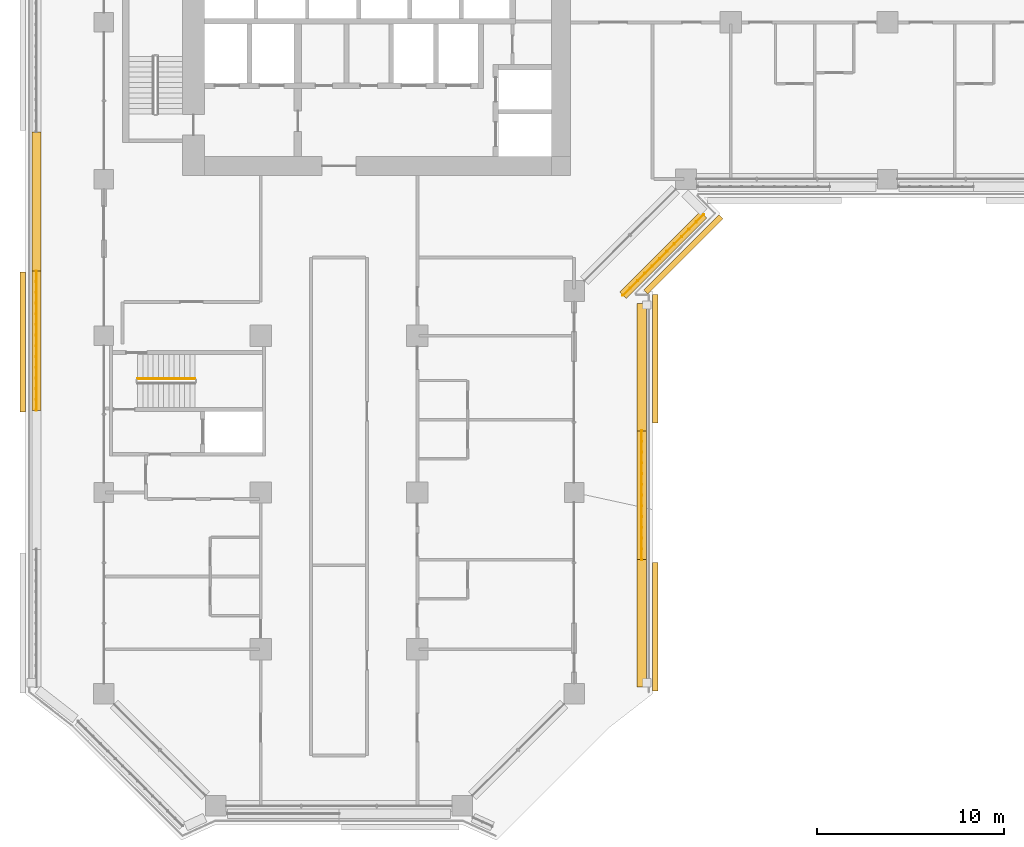
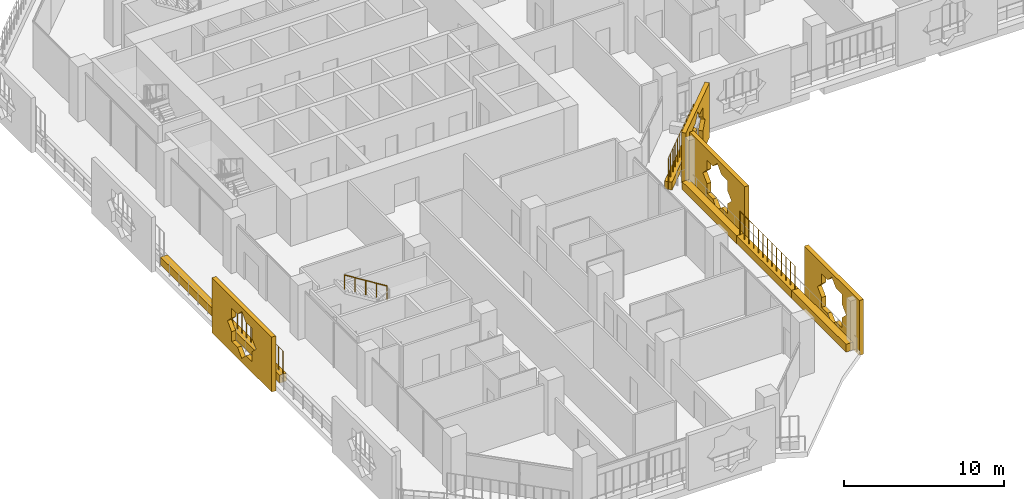
# One storey, part 20 of 25: 10 coverings, 4 railings.
"""IFC4 building model written with IfcOpenShell, lengths in metres."""

from ifc_helpers import new_model, si_unit, direction, frame, origin, origin_2d, place, context, subcontext, project, spatial, polyline, rectangle, circle, outline, extrude, material, material_profile, profile_set, type_object, element, save


model = new_model("IFC4")

# Units and contexts
model_context = context("Model", 3, precision=1e-05, world=origin(), true_north=direction((0.0, 1.0)))
body_context = subcontext(model_context, "Body", "Model", "MODEL_VIEW")
ifc_project = project(units=[si_unit("LENGTHUNIT", "METRE"), si_unit("AREAUNIT", "SQUARE_METRE"), si_unit("VOLUMEUNIT", "CUBIC_METRE"), si_unit("PLANEANGLEUNIT", "RADIAN"), si_unit("MASSUNIT", "GRAM", prefix="KILO")], contexts=[model_context])

# Site, building, storey
site_placement = place(None, origin())
site = spatial("IfcSite", under=ifc_project, at=site_placement, CompositionType="ELEMENT")
building_placement = place(site_placement, origin())
building = spatial("IfcBuilding", under=site, at=building_placement, Name="Kawkab Arch Medical Tower", CompositionType="ELEMENT")
storey_placement = place(building_placement, frame((0.0, 0.0, 132.39990234375)))
storey = spatial("IfcBuildingStorey", under=building, at=storey_placement, Name="L30", CompositionType="ELEMENT", Elevation=132.39990234375)

# Coverings
ifc_material_1 = material(Name="Bronze anodised aluminium mashrabiya panel, eight-point star pattern", Category="aluminium")
ifc_material_profile_1 = material_profile(ifc_material_1, outline(polyline([(-2.85009765625, -2.10009765625), (2.85009765625, -2.10009765625), (2.85009765625, 2.10009765625), (-2.85009765625, 2.10009765625), (-2.85009765625, -2.10009765625)]), holes=[polyline([(1.800048828125, 0.0), (1.272705078125, 0.527099609375), (1.272705078125, 1.272705078125), (0.527099609375, 1.272705078125), (0.0, 1.800048828125), (-0.527099609375, 1.272705078125), (-1.272705078125, 1.272705078125), (-1.272705078125, 0.527099609375), (-1.800048828125, 0.0), (-1.272705078125, -0.527099609375), (-1.272705078125, -1.272705078125), (-0.527099609375, -1.272705078125), (0.0, -1.800048828125), (0.527099609375, -1.272705078125), (1.272705078125, -1.272705078125), (1.272705078125, -0.527099609375), (1.800048828125, 0.0)])]), Name="Mashrabiya panel 5700x4200")
ifc_profile_set_1 = profile_set([ifc_material_profile_1], Name="Bronze anodised aluminium mashrabiya panel, eight-point star pattern")
covering_type_1 = type_object("IfcCoveringType", Name="Mashrabiya panel 5700 x 4200", PredefinedType="USERDEFINED", material=ifc_profile_set_1)
covering_1_placement = place(storey_placement, frame((30.94775390625, -29.128662109375, 1.7001953125), z_axis=(0.707106781187, -0.707106781187, 0.0), x_axis=(0.707106781187, 0.707106781187, 0.0)))
element("IfcCovering", 1, at=covering_1_placement, inside=storey, type_object=covering_type_1, Name="Mashrabiya panel L30.LOG-01-01.14", ObjectType="SCREEN", PredefinedType="USERDEFINED", context=body_context, shape_type="SweptSolid", body=[
    extrude(outline(polyline([(-2.85009765625, -2.10009765625), (2.85009765625, -2.10009765625), (2.85009765625, 2.10009765625), (-2.85009765625, 2.10009765625), (-2.85009765625, -2.10009765625)]), holes=[polyline([(1.800048828125, 0.0), (1.272705078125, 0.527099609375), (1.272705078125, 1.272705078125), (0.527099609375, 1.272705078125), (0.0, 1.800048828125), (-0.527099609375, 1.272705078125), (-1.272705078125, 1.272705078125), (-1.272705078125, 0.527099609375), (-1.800048828125, 0.0), (-1.272705078125, -0.527099609375), (-1.272705078125, -1.272705078125), (-0.527099609375, -1.272705078125), (0.0, -1.800048828125), (0.527099609375, -1.272705078125), (1.272705078125, -1.272705078125), (1.272705078125, -0.527099609375), (1.800048828125, 0.0)])]), origin(), (0.0, 0.0, 1.0), 0.300048828125),
])
ifc_material_2 = material(Name="Bronze anodised aluminium mashrabiya panel, eight-point star pattern", Category="aluminium")
ifc_material_profile_2 = material_profile(ifc_material_2, outline(polyline([(-3.449951171875, -2.10009765625), (3.449951171875, -2.10009765625), (3.449951171875, 2.10009765625), (-3.449951171875, 2.10009765625), (-3.449951171875, -2.10009765625)]), holes=[polyline([(1.800048828125, 0.0), (1.272705078125, 0.527099609375), (1.272705078125, 1.272705078125), (0.527099609375, 1.272705078125), (0.0, 1.800048828125), (-0.527099609375, 1.272705078125), (-1.272705078125, 1.272705078125), (-1.272705078125, 0.527099609375), (-1.800048828125, 0.0), (-1.272705078125, -0.527099609375), (-1.272705078125, -1.272705078125), (-0.527099609375, -1.272705078125), (0.0, -1.800048828125), (0.527099609375, -1.272705078125), (1.272705078125, -1.272705078125), (1.272705078125, -0.527099609375), (1.800048828125, 0.0)])]), Name="Mashrabiya panel 6900x4200")
ifc_profile_set_2 = profile_set([ifc_material_profile_2], Name="Bronze anodised aluminium mashrabiya panel, eight-point star pattern")
covering_type_2 = type_object("IfcCoveringType", Name="Mashrabiya panel 6900 x 4200", PredefinedType="USERDEFINED", material=ifc_profile_set_2)
for number, where, z_axis, x_axis, name in (
    (2, (29.39990234375, -34.827392578125, 1.7001953125), (1.0, 0.0, 0.0), (0.0, 1.0, 0.0), "Mashrabiya panel L30.LOG-01-01.15"),
    (3, (29.39990234375, -49.197509765625, 1.7001953125), (1.0, 0.0, 0.0), (0.0, 1.0, 0.0), "Mashrabiya panel L30.LOG-01-01.16"),
):
    element("IfcCovering", number, at=place(storey_placement, frame(where, z_axis=z_axis, x_axis=x_axis)), inside=storey, type_object=covering_type_2, Name=name, ObjectType="SCREEN", PredefinedType="USERDEFINED", context=body_context, shape_type="SweptSolid", body=[
        extrude(outline(polyline([(-3.449951171875, -2.10009765625), (3.449951171875, -2.10009765625), (3.449951171875, 2.10009765625), (-3.449951171875, 2.10009765625), (-3.449951171875, -2.10009765625)]), holes=[polyline([(1.800048828125, 0.0), (1.272705078125, 0.527099609375), (1.272705078125, 1.272705078125), (0.527099609375, 1.272705078125), (0.0, 1.800048828125), (-0.527099609375, 1.272705078125), (-1.272705078125, 1.272705078125), (-1.272705078125, 0.527099609375), (-1.800048828125, 0.0), (-1.272705078125, -0.527099609375), (-1.272705078125, -1.272705078125), (-0.527099609375, -1.272705078125), (0.0, -1.800048828125), (0.527099609375, -1.272705078125), (1.272705078125, -1.272705078125), (1.272705078125, -0.527099609375), (1.800048828125, 0.0)])]), origin(), (0.0, 0.0, 1.0), 0.300048828125),
    ])
ifc_material_3 = material(Name="Bronze anodised aluminium mashrabiya panel, eight-point star pattern", Category="aluminium")
ifc_material_profile_3 = material_profile(ifc_material_3, outline(polyline([(-3.75, -2.10009765625), (3.75, -2.10009765625), (3.75, 2.10009765625), (-3.75, 2.10009765625), (-3.75, -2.10009765625)]), holes=[polyline([(1.800048828125, 0.0), (1.272705078125, 0.527099609375), (1.272705078125, 1.272705078125), (0.527099609375, 1.272705078125), (0.0, 1.800048828125), (-0.527099609375, 1.272705078125), (-1.272705078125, 1.272705078125), (-1.272705078125, 0.527099609375), (-1.800048828125, 0.0), (-1.272705078125, -0.527099609375), (-1.272705078125, -1.272705078125), (-0.527099609375, -1.272705078125), (0.0, -1.800048828125), (0.527099609375, -1.272705078125), (1.272705078125, -1.272705078125), (1.272705078125, -0.527099609375), (1.800048828125, 0.0)])]), Name="Mashrabiya panel 7500x4200")
ifc_profile_set_3 = profile_set([ifc_material_profile_3], Name="Bronze anodised aluminium mashrabiya panel, eight-point star pattern")
covering_type_3 = type_object("IfcCoveringType", Name="Mashrabiya panel 7500 x 4200", PredefinedType="USERDEFINED", material=ifc_profile_set_3)
covering_2_placement = place(storey_placement, frame((-4.199951171875, -33.94140625, 1.7001953125), z_axis=(-1.0, 0.0, 0.0), x_axis=(0.0, -1.0, 0.0)))
element("IfcCovering", 4, at=covering_2_placement, inside=storey, type_object=covering_type_3, Name="Mashrabiya panel L30.LOG-01-01.3", ObjectType="SCREEN", PredefinedType="USERDEFINED", context=body_context, shape_type="SweptSolid", body=[
    extrude(outline(polyline([(-3.75, -2.10009765625), (3.75, -2.10009765625), (3.75, 2.10009765625), (-3.75, 2.10009765625), (-3.75, -2.10009765625)]), holes=[polyline([(1.800048828125, 0.0), (1.272705078125, 0.527099609375), (1.272705078125, 1.272705078125), (0.527099609375, 1.272705078125), (0.0, 1.800048828125), (-0.527099609375, 1.272705078125), (-1.272705078125, 1.272705078125), (-1.272705078125, 0.527099609375), (-1.800048828125, 0.0), (-1.272705078125, -0.527099609375), (-1.272705078125, -1.272705078125), (-0.527099609375, -1.272705078125), (0.0, -1.800048828125), (0.527099609375, -1.272705078125), (1.272705078125, -1.272705078125), (1.272705078125, -0.527099609375), (1.800048828125, 0.0)])]), origin(), (0.0, 0.0, 1.0), 0.300048828125),
])
ifc_material_4 = material(Name="Planting soil in a precast trough", Category="concrete")
ifc_material_profile_4 = material_profile(ifc_material_4, rectangle(XDim=0.5, YDim=0.60009765625, at=origin_2d()), Name="Trough 500x600")
ifc_profile_set_4 = profile_set([ifc_material_profile_4], Name="Planting soil in a precast trough")
covering_type_4 = type_object("IfcCoveringType", Name="Planter trough 500 x 600", PredefinedType="USERDEFINED", material=ifc_profile_set_4)
covering_3_placement = place(storey_placement, frame((-3.6201171875, -37.593017578125, 0.300048828125), z_axis=(0.0, 1.0, 0.0), x_axis=(-1.0, 0.0, 0.0)))
element("IfcCovering", 5, at=covering_3_placement, inside=storey, type_object=covering_type_4, Name="Planter L30.LOG-01-01.9", ObjectType="PLANTER", PredefinedType="USERDEFINED", context=body_context, shape_type="SweptSolid", body=[
    extrude(rectangle(XDim=0.5, YDim=0.60009765625, at=origin_2d()), origin(), (0.0, 0.0, 1.0), 7.4619140625),
])
covering_4_placement = place(storey_placement, frame((-3.6201171875, -30.131103515625, 0.300048828125), z_axis=(0.0, 1.0, 0.0), x_axis=(-1.0, 0.0, 0.0)))
element("IfcCovering", 6, at=covering_4_placement, inside=storey, type_object=covering_type_4, Name="Planter L30.LOG-01-01.10", ObjectType="PLANTER", PredefinedType="USERDEFINED", context=body_context, shape_type="SweptSolid", body=[
    extrude(rectangle(XDim=0.5, YDim=0.60009765625, at=origin_2d()), origin(), (0.0, 0.0, 1.0), 7.462158203125),
])
covering_5_placement = place(storey_placement, frame((32.14697265625, -27.10888671875, 0.300048828125), z_axis=(-0.707007043994, -0.707206504313, 0.0), x_axis=(0.707206504313, -0.707007043994, 0.0)))
element("IfcCovering", 7, at=covering_5_placement, inside=storey, type_object=covering_type_4, Name="Planter L30.LOG-01-01.43", ObjectType="PLANTER", PredefinedType="USERDEFINED", context=body_context, shape_type="SweptSolid", body=[
    extrude(rectangle(XDim=0.5, YDim=0.60009765625, at=origin_2d()), origin(), (0.0, 0.0, 1.0), 6.1201171875),
])
covering_6_placement = place(storey_placement, frame((28.820068359375, -31.8798828125, 0.300048828125), z_axis=(0.0, -1.0, 0.0), x_axis=(1.0, 0.0, 0.0)))
element("IfcCovering", 8, at=covering_6_placement, inside=storey, type_object=covering_type_4, Name="Planter L30.LOG-01-01.44", ObjectType="PLANTER", PredefinedType="USERDEFINED", context=body_context, shape_type="SweptSolid", body=[
    extrude(rectangle(XDim=0.5, YDim=0.60009765625, at=origin_2d()), origin(), (0.0, 0.0, 1.0), 6.81201171875),
])
covering_7_placement = place(storey_placement, frame((28.820068359375, -38.69189453125, 0.300048828125), z_axis=(0.0, -1.0, 0.0), x_axis=(1.0, 0.0, 0.0)))
element("IfcCovering", 9, at=covering_7_placement, inside=storey, type_object=covering_type_4, Name="Planter L30.LOG-01-01.45", ObjectType="PLANTER", PredefinedType="USERDEFINED", context=body_context, shape_type="SweptSolid", body=[
    extrude(rectangle(XDim=0.5, YDim=0.60009765625, at=origin_2d()), origin(), (0.0, 0.0, 1.0), 6.912109375),
])
covering_8_placement = place(storey_placement, frame((28.820068359375, -45.60400390625, 0.300048828125), z_axis=(0.0, -1.0, 0.0), x_axis=(1.0, 0.0, 0.0)))
element("IfcCovering", 10, at=covering_8_placement, inside=storey, type_object=covering_type_4, Name="Planter L30.LOG-01-01.46", ObjectType="PLANTER", PredefinedType="USERDEFINED", context=body_context, shape_type="SweptSolid", body=[
    extrude(rectangle(XDim=0.5, YDim=0.60009765625, at=origin_2d()), origin(), (0.0, 0.0, 1.0), 6.81201171875),
])

# Railings
ifc_material_5 = material(Name="Bronze anodised aluminium trellis for climbing plants", Category="aluminium")
railing_type_1 = type_object("IfcRailingType", Name="Planting trellis 2400", PredefinedType="USERDEFINED", material=ifc_material_5)
railing_1_placement = place(storey_placement, frame((-3.6201171875, -37.593017578125, 0.0)))
element("IfcRailing", 11, at=railing_1_placement, inside=storey, type_object=railing_type_1, Name="Planting trellis L30.LOG-01-01.9", ObjectType="TRELLIS", PredefinedType="USERDEFINED", context=body_context, shape_type="SweptSolid", body=[
    extrude(circle(Radius=0.01513671875, at=origin_2d()), frame((0.0, 0.0, 2.384765625), z_axis=(0.0, 1.0, 0.0), x_axis=(-1.0, 0.0, 0.0)), (0.0, 0.0, 1.0), 7.4619140625),
    extrude(circle(Radius=0.030029296875, at=origin_2d()), origin(), (0.0, 0.0, 1.0), 2.369873046875),
    extrude(circle(Radius=0.030029296875, at=origin_2d()), frame((0.0, 0.573974609375, 0.0)), (0.0, 0.0, 1.0), 2.369873046875),
    extrude(circle(Radius=0.030029296875, at=origin_2d()), frame((0.0, 1.14794921875, 0.0)), (0.0, 0.0, 1.0), 2.369873046875),
    extrude(circle(Radius=0.030029296875, at=origin_2d()), frame((0.0, 1.721923828125, 0.0)), (0.0, 0.0, 1.0), 2.369873046875),
    extrude(circle(Radius=0.030029296875, at=origin_2d()), frame((0.0, 2.2958984375, 0.0)), (0.0, 0.0, 1.0), 2.369873046875),
    extrude(circle(Radius=0.030029296875, at=origin_2d()), frame((0.0, 2.869873046875, 0.0)), (0.0, 0.0, 1.0), 2.369873046875),
    extrude(circle(Radius=0.030029296875, at=origin_2d()), frame((0.0, 3.44384765625, 0.0)), (0.0, 0.0, 1.0), 2.369873046875),
    extrude(circle(Radius=0.030029296875, at=origin_2d()), frame((0.0, 4.01806640625, 0.0)), (0.0, 0.0, 1.0), 2.369873046875),
    extrude(circle(Radius=0.030029296875, at=origin_2d()), frame((0.0, 4.592041015625, 0.0)), (0.0, 0.0, 1.0), 2.369873046875),
    extrude(circle(Radius=0.030029296875, at=origin_2d()), frame((0.0, 5.166015625, 0.0)), (0.0, 0.0, 1.0), 2.369873046875),
    extrude(circle(Radius=0.030029296875, at=origin_2d()), frame((0.0, 5.739990234375, 0.0)), (0.0, 0.0, 1.0), 2.369873046875),
    extrude(circle(Radius=0.030029296875, at=origin_2d()), frame((0.0, 6.31396484375, 0.0)), (0.0, 0.0, 1.0), 2.369873046875),
    extrude(circle(Radius=0.030029296875, at=origin_2d()), frame((0.0, 6.887939453125, 0.0)), (0.0, 0.0, 1.0), 2.369873046875),
    extrude(circle(Radius=0.030029296875, at=origin_2d()), frame((0.0, 7.4619140625, 0.0)), (0.0, 0.0, 1.0), 2.369873046875),
])
railing_2_placement = place(storey_placement, frame((32.14697265625, -27.10888671875, 0.0)))
element("IfcRailing", 12, at=railing_2_placement, inside=storey, type_object=railing_type_1, Name="Planting trellis L30.LOG-01-01.43", ObjectType="TRELLIS", PredefinedType="USERDEFINED", context=body_context, shape_type="SweptSolid", body=[
    extrude(circle(Radius=0.01513671875, at=origin_2d()), frame((0.0, 0.0, 2.384765625), z_axis=(-0.707007043994, -0.707206504313, 0.0), x_axis=(0.707206504313, -0.707007043994, 0.0)), (0.0, 0.0, 1.0), 6.1201171875),
    extrude(circle(Radius=0.030029296875, at=origin_2d()), origin(), (0.0, 0.0, 1.0), 2.369873046875),
    extrude(circle(Radius=0.030029296875, at=origin_2d()), frame((-0.393310546875, -0.3935546875, 0.0)), (0.0, 0.0, 1.0), 2.369873046875),
    extrude(circle(Radius=0.030029296875, at=origin_2d()), frame((-0.78662109375, -0.786865234375, 0.0)), (0.0, 0.0, 1.0), 2.369873046875),
    extrude(circle(Radius=0.030029296875, at=origin_2d()), frame((-1.18017578125, -1.180419921875, 0.0)), (0.0, 0.0, 1.0), 2.369873046875),
    extrude(circle(Radius=0.030029296875, at=origin_2d()), frame((-1.573486328125, -1.573974609375, 0.0)), (0.0, 0.0, 1.0), 2.369873046875),
    extrude(circle(Radius=0.030029296875, at=origin_2d()), frame((-1.966796875, -1.96728515625, 0.0)), (0.0, 0.0, 1.0), 2.369873046875),
    extrude(circle(Radius=0.030029296875, at=origin_2d()), frame((-2.360107421875, -2.36083984375, 0.0)), (0.0, 0.0, 1.0), 2.369873046875),
    extrude(circle(Radius=0.030029296875, at=origin_2d()), frame((-2.75341796875, -2.754150390625, 0.0)), (0.0, 0.0, 1.0), 2.369873046875),
    extrude(circle(Radius=0.030029296875, at=origin_2d()), frame((-3.146728515625, -3.147705078125, 0.0)), (0.0, 0.0, 1.0), 2.369873046875),
    extrude(circle(Radius=0.030029296875, at=origin_2d()), frame((-3.540283203125, -3.541259765625, 0.0)), (0.0, 0.0, 1.0), 2.369873046875),
    extrude(circle(Radius=0.030029296875, at=origin_2d()), frame((-3.93359375, -3.9345703125, 0.0)), (0.0, 0.0, 1.0), 2.369873046875),
    extrude(circle(Radius=0.030029296875, at=origin_2d()), frame((-4.326904296875, -4.328125, 0.0)), (0.0, 0.0, 1.0), 2.369873046875),
])
railing_3_placement = place(storey_placement, frame((28.820068359375, -38.69189453125, 0.0)))
element("IfcRailing", 13, at=railing_3_placement, inside=storey, type_object=railing_type_1, Name="Planting trellis L30.LOG-01-01.45", ObjectType="TRELLIS", PredefinedType="USERDEFINED", context=body_context, shape_type="SweptSolid", body=[
    extrude(circle(Radius=0.01513671875, at=origin_2d()), frame((0.0, 0.0, 2.384765625), z_axis=(0.0, -1.0, 0.0), x_axis=(1.0, 0.0, 0.0)), (0.0, 0.0, 1.0), 6.912109375),
    extrude(circle(Radius=0.030029296875, at=origin_2d()), origin(), (0.0, 0.0, 1.0), 2.369873046875),
    extrude(circle(Radius=0.030029296875, at=origin_2d()), frame((0.0, -0.575927734375, 0.0)), (0.0, 0.0, 1.0), 2.369873046875),
    extrude(circle(Radius=0.030029296875, at=origin_2d()), frame((0.0, -1.152099609375, 0.0)), (0.0, 0.0, 1.0), 2.369873046875),
    extrude(circle(Radius=0.030029296875, at=origin_2d()), frame((0.0, -1.72802734375, 0.0)), (0.0, 0.0, 1.0), 2.369873046875),
    extrude(circle(Radius=0.030029296875, at=origin_2d()), frame((0.0, -2.303955078125, 0.0)), (0.0, 0.0, 1.0), 2.369873046875),
    extrude(circle(Radius=0.030029296875, at=origin_2d()), frame((0.0, -2.880126953125, 0.0)), (0.0, 0.0, 1.0), 2.369873046875),
    extrude(circle(Radius=0.030029296875, at=origin_2d()), frame((0.0, -3.4560546875, 0.0)), (0.0, 0.0, 1.0), 2.369873046875),
    extrude(circle(Radius=0.030029296875, at=origin_2d()), frame((0.0, -4.031982421875, 0.0)), (0.0, 0.0, 1.0), 2.369873046875),
    extrude(circle(Radius=0.030029296875, at=origin_2d()), frame((0.0, -4.608154296875, 0.0)), (0.0, 0.0, 1.0), 2.369873046875),
    extrude(circle(Radius=0.030029296875, at=origin_2d()), frame((0.0, -5.18408203125, 0.0)), (0.0, 0.0, 1.0), 2.369873046875),
    extrude(circle(Radius=0.030029296875, at=origin_2d()), frame((0.0, -5.760009765625, 0.0)), (0.0, 0.0, 1.0), 2.369873046875),
    extrude(circle(Radius=0.030029296875, at=origin_2d()), frame((0.0, -6.336181640625, 0.0)), (0.0, 0.0, 1.0), 2.369873046875),
    extrude(circle(Radius=0.030029296875, at=origin_2d()), frame((0.0, -6.912109375, 0.0)), (0.0, 0.0, 1.0), 2.369873046875),
])
ifc_material_6 = material(Name="Stainless steel", Category="steel")
railing_type_2 = type_object("IfcRailingType", Name="Stair guard 1100", PredefinedType="GUARDRAIL", material=ifc_material_6)
railing_4_placement = place(storey_placement, frame((4.8798828125, -35.89990234375, 2.275146484375)))
element("IfcRailing", 14, at=railing_4_placement, inside=storey, type_object=railing_type_2, Name="L30 ST6 stair guard 3", PredefinedType="GUARDRAIL", context=body_context, shape_type="SweptSolid", body=[
    extrude(circle(Radius=0.02392578125, at=origin_2d()), frame((0.0, 0.0, 1.076171875), z_axis=(-0.847979421464, 0.0, 0.530029150871), x_axis=(0.0, -1.0, 0.0)), (0.0, 0.0, 1.0), 3.632080078125),
    extrude(circle(Radius=0.02099609375, at=origin_2d()), origin(), (0.0, 0.0, 1.0), 1.052001953125),
    extrude(circle(Radius=0.02099609375, at=origin_2d()), frame((-0.77001953125, 0.0, 0.481201171875)), (0.0, 0.0, 1.0), 1.052001953125),
    extrude(circle(Radius=0.02099609375, at=origin_2d()), frame((-1.5400390625, 0.0, 0.96240234375)), (0.0, 0.0, 1.0), 1.052001953125),
    extrude(circle(Radius=0.02099609375, at=origin_2d()), frame((-2.309814453125, 0.0, 1.44384765625)), (0.0, 0.0, 1.0), 1.052001953125),
    extrude(circle(Radius=0.02099609375, at=origin_2d()), frame((-3.079833984375, 0.0, 1.925048828125)), (0.0, 0.0, 1.0), 1.052001953125),
])

save(model, "model.ifc")
